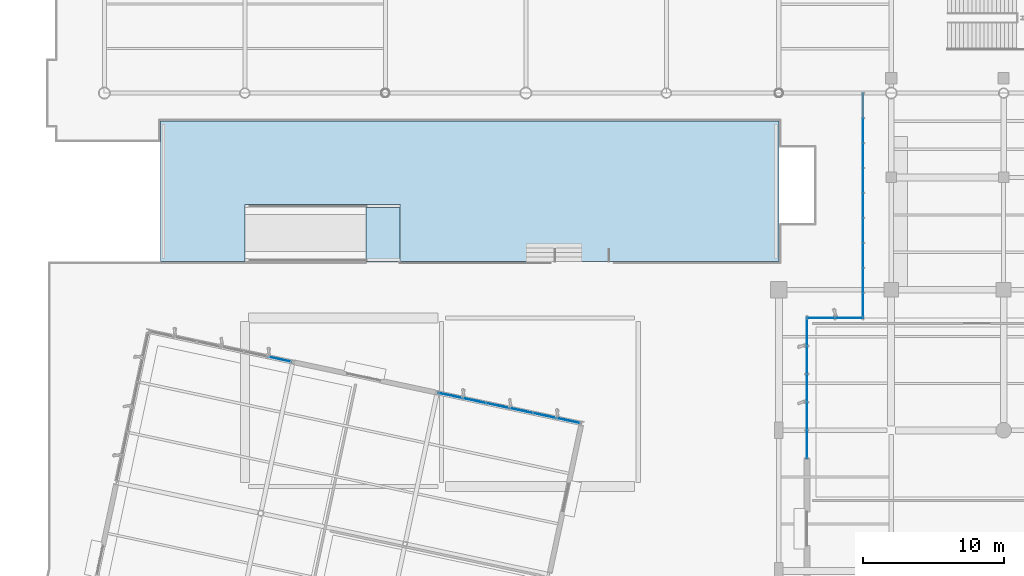
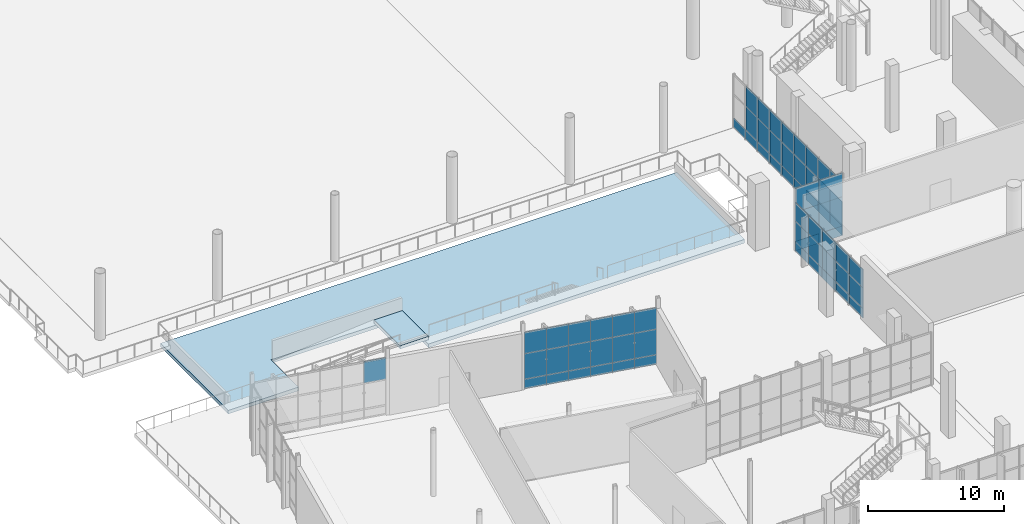
# One storey, part 113 of 163: 65 plates, 2 slabs, 6 elements without a shape of their own.
"""IFC4 building model written with IfcOpenShell, lengths in metres."""

from ifc_helpers import new_model, si_unit, direction, frame, origin, origin_2d, place, context, subcontext, project, spatial, polyline, rectangle, outline, extrude, material, layer, layer_set, type_object, element, aggregate, save


model = new_model("IFC4")

# Units and contexts
model_context = context("Model", 3, precision=1e-05, world=origin(), true_north=direction((0.0, 1.0)))
body_context = subcontext(model_context, "Body", "Model", "MODEL_VIEW")
ifc_project = project(units=[si_unit("LENGTHUNIT", "METRE"), si_unit("AREAUNIT", "SQUARE_METRE"), si_unit("VOLUMEUNIT", "CUBIC_METRE"), si_unit("PLANEANGLEUNIT", "RADIAN"), si_unit("MASSUNIT", "GRAM", prefix="KILO")], contexts=[model_context])

# Site, building, storey
site_placement = place(None, origin())
site = spatial("IfcSite", under=ifc_project, at=site_placement, CompositionType="ELEMENT")
building_placement = place(site_placement, origin())
building = spatial("IfcBuilding", under=site, at=building_placement, Name="Khorjan Park Terminus", CompositionType="ELEMENT")
storey_placement = place(building_placement, origin())
storey = spatial("IfcBuildingStorey", under=building, at=storey_placement, Name="L00", CompositionType="ELEMENT", Elevation=0.0)

# Curtain wall, plates
ifc_material_1 = material(Name="Anodized Bronze Aluminium", Category="aluminium")
ifc_layer_1 = layer(ifc_material_1, 0.22)
ifc_layer_set_1 = layer_set([ifc_layer_1], Name="Anodized Bronze Aluminium")
curtain_wall_type_1 = type_object("IfcCurtainWallType", Name="CW-BRG-D", PredefinedType="NOTDEFINED", material=ifc_layer_set_1)
curtain_wall_1_placement = place(storey_placement, origin())
curtain_wall_1 = element("IfcCurtainWall", 1, at=curtain_wall_1_placement, inside=storey, type_object=curtain_wall_type_1, Name="Unitized curtain wall CW-D (CW-NKW-W-L00)", PredefinedType="NOTDEFINED")
ifc_material_2 = material(Name="Low-E Solar Control Double Glazing", Category="glass")
ifc_layer_2 = layer(ifc_material_2, 0.032)
ifc_layer_set_2 = layer_set([ifc_layer_2], Name="Low-E Solar Control Double Glazing")
plate_type_1 = type_object("IfcPlateType", Name="GL-VIS-32", PredefinedType="CURTAIN_PANEL", material=ifc_layer_set_2)
plate_1_placement = place(storey_placement, frame((54.0, 99.3333, 0.8499), z_axis=(0.0, 0.0, 1.0), x_axis=(0.0, -1.0, 0.0)))
plate_1 = element("IfcPlate", 2, at=plate_1_placement, type_object=plate_type_1, Name="Curtain-wall panel VP-32 (CW-NKW-W-L00-1-2)", PredefinedType="CURTAIN_PANEL", context=body_context, shape_type="SweptSolid", body=[
    extrude(rectangle(XDim=1.7778, YDim=0.032, at=origin_2d()), origin(), (0.0, 0.0, 1.0), 2.1415),
])
plate_2_placement = place(storey_placement, frame((54.0, 99.3333, 2.9914), z_axis=(0.0, 0.0, 1.0), x_axis=(0.0, -1.0, 0.0)))
plate_2 = element("IfcPlate", 3, at=plate_2_placement, type_object=plate_type_1, Name="Curtain-wall panel VP-32 (CW-NKW-W-L00-1-3)", PredefinedType="CURTAIN_PANEL", context=body_context, shape_type="SweptSolid", body=[
    extrude(rectangle(XDim=1.7778, YDim=0.032, at=origin_2d()), origin(), (0.0, 0.0, 1.0), 1.8435),
])
plate_3_placement = place(storey_placement, frame((54.0, 97.5556, 0.8499), z_axis=(0.0, 0.0, 1.0), x_axis=(0.0, -1.0, 0.0)))
plate_3 = element("IfcPlate", 4, at=plate_3_placement, type_object=plate_type_1, Name="Curtain-wall panel VP-32 (CW-NKW-W-L00-2-2)", PredefinedType="CURTAIN_PANEL", context=body_context, shape_type="SweptSolid", body=[
    extrude(rectangle(XDim=1.7778, YDim=0.032, at=origin_2d()), origin(), (0.0, 0.0, 1.0), 2.1415),
])
plate_4_placement = place(storey_placement, frame((54.0, 97.5556, 2.9914), z_axis=(0.0, 0.0, 1.0), x_axis=(0.0, -1.0, 0.0)))
plate_4 = element("IfcPlate", 5, at=plate_4_placement, type_object=plate_type_1, Name="Curtain-wall panel VP-32 (CW-NKW-W-L00-2-3)", PredefinedType="CURTAIN_PANEL", context=body_context, shape_type="SweptSolid", body=[
    extrude(rectangle(XDim=1.7778, YDim=0.032, at=origin_2d()), origin(), (0.0, 0.0, 1.0), 1.8435),
])
plate_5_placement = place(storey_placement, frame((54.0, 95.7778, 0.8499), z_axis=(0.0, 0.0, 1.0), x_axis=(0.0, -1.0, 0.0)))
plate_5 = element("IfcPlate", 6, at=plate_5_placement, type_object=plate_type_1, Name="Curtain-wall panel VP-32 (CW-NKW-W-L00-3-2)", PredefinedType="CURTAIN_PANEL", context=body_context, shape_type="SweptSolid", body=[
    extrude(rectangle(XDim=1.7778, YDim=0.032, at=origin_2d()), origin(), (0.0, 0.0, 1.0), 2.1415),
])
plate_6_placement = place(storey_placement, frame((54.0, 95.7778, 2.9914), z_axis=(0.0, 0.0, 1.0), x_axis=(0.0, -1.0, 0.0)))
plate_6 = element("IfcPlate", 7, at=plate_6_placement, type_object=plate_type_1, Name="Curtain-wall panel VP-32 (CW-NKW-W-L00-3-3)", PredefinedType="CURTAIN_PANEL", context=body_context, shape_type="SweptSolid", body=[
    extrude(rectangle(XDim=1.7778, YDim=0.032, at=origin_2d()), origin(), (0.0, 0.0, 1.0), 1.8435),
])
plate_7_placement = place(storey_placement, frame((54.0, 94.0, 0.8499), z_axis=(0.0, 0.0, 1.0), x_axis=(0.0, -1.0, 0.0)))
plate_7 = element("IfcPlate", 8, at=plate_7_placement, type_object=plate_type_1, Name="Curtain-wall panel VP-32 (CW-NKW-W-L00-4-2)", PredefinedType="CURTAIN_PANEL", context=body_context, shape_type="SweptSolid", body=[
    extrude(rectangle(XDim=1.7778, YDim=0.032, at=origin_2d()), origin(), (0.0, 0.0, 1.0), 2.1415),
])
plate_8_placement = place(storey_placement, frame((54.0, 94.0, 2.9914), z_axis=(0.0, 0.0, 1.0), x_axis=(0.0, -1.0, 0.0)))
plate_8 = element("IfcPlate", 9, at=plate_8_placement, type_object=plate_type_1, Name="Curtain-wall panel VP-32 (CW-NKW-W-L00-4-3)", PredefinedType="CURTAIN_PANEL", context=body_context, shape_type="SweptSolid", body=[
    extrude(rectangle(XDim=1.7778, YDim=0.032, at=origin_2d()), origin(), (0.0, 0.0, 1.0), 1.8435),
])
plate_9_placement = place(storey_placement, frame((54.0, 92.2222, 0.8499), z_axis=(0.0, 0.0, 1.0), x_axis=(0.0, -1.0, 0.0)))
plate_9 = element("IfcPlate", 10, at=plate_9_placement, type_object=plate_type_1, Name="Curtain-wall panel VP-32 (CW-NKW-W-L00-5-2)", PredefinedType="CURTAIN_PANEL", context=body_context, shape_type="SweptSolid", body=[
    extrude(rectangle(XDim=1.7778, YDim=0.032, at=origin_2d()), origin(), (0.0, 0.0, 1.0), 2.1415),
])
plate_10_placement = place(storey_placement, frame((54.0, 92.2222, 2.9914), z_axis=(0.0, 0.0, 1.0), x_axis=(0.0, -1.0, 0.0)))
plate_10 = element("IfcPlate", 11, at=plate_10_placement, type_object=plate_type_1, Name="Curtain-wall panel VP-32 (CW-NKW-W-L00-5-3)", PredefinedType="CURTAIN_PANEL", context=body_context, shape_type="SweptSolid", body=[
    extrude(rectangle(XDim=1.7778, YDim=0.032, at=origin_2d()), origin(), (0.0, 0.0, 1.0), 1.8435),
])
plate_11_placement = place(storey_placement, frame((54.0, 90.4444, 0.8499), z_axis=(0.0, 0.0, 1.0), x_axis=(0.0, -1.0, 0.0)))
plate_11 = element("IfcPlate", 12, at=plate_11_placement, type_object=plate_type_1, Name="Curtain-wall panel VP-32 (CW-NKW-W-L00-6-2)", PredefinedType="CURTAIN_PANEL", context=body_context, shape_type="SweptSolid", body=[
    extrude(rectangle(XDim=1.7778, YDim=0.032, at=origin_2d()), origin(), (0.0, 0.0, 1.0), 2.1415),
])
plate_12_placement = place(storey_placement, frame((54.0, 90.4444, 2.9914), z_axis=(0.0, 0.0, 1.0), x_axis=(0.0, -1.0, 0.0)))
plate_12 = element("IfcPlate", 13, at=plate_12_placement, type_object=plate_type_1, Name="Curtain-wall panel VP-32 (CW-NKW-W-L00-6-3)", PredefinedType="CURTAIN_PANEL", context=body_context, shape_type="SweptSolid", body=[
    extrude(rectangle(XDim=1.7778, YDim=0.032, at=origin_2d()), origin(), (0.0, 0.0, 1.0), 1.8435),
])
plate_13_placement = place(storey_placement, frame((54.0, 88.6667, 0.8499), z_axis=(0.0, 0.0, 1.0), x_axis=(0.0, -1.0, 0.0)))
plate_13 = element("IfcPlate", 14, at=plate_13_placement, type_object=plate_type_1, Name="Curtain-wall panel VP-32 (CW-NKW-W-L00-7-2)", PredefinedType="CURTAIN_PANEL", context=body_context, shape_type="SweptSolid", body=[
    extrude(rectangle(XDim=1.7778, YDim=0.032, at=origin_2d()), origin(), (0.0, 0.0, 1.0), 2.1415),
])
plate_14_placement = place(storey_placement, frame((54.0, 88.6667, 2.9914), z_axis=(0.0, 0.0, 1.0), x_axis=(0.0, -1.0, 0.0)))
plate_14 = element("IfcPlate", 15, at=plate_14_placement, type_object=plate_type_1, Name="Curtain-wall panel VP-32 (CW-NKW-W-L00-7-3)", PredefinedType="CURTAIN_PANEL", context=body_context, shape_type="SweptSolid", body=[
    extrude(rectangle(XDim=1.7778, YDim=0.032, at=origin_2d()), origin(), (0.0, 0.0, 1.0), 1.8435),
])
plate_15_placement = place(storey_placement, frame((54.0, 86.8889, 0.8499), z_axis=(0.0, 0.0, 1.0), x_axis=(0.0, -1.0, 0.0)))
plate_15 = element("IfcPlate", 16, at=plate_15_placement, type_object=plate_type_1, Name="Curtain-wall panel VP-32 (CW-NKW-W-L00-8-2)", PredefinedType="CURTAIN_PANEL", context=body_context, shape_type="SweptSolid", body=[
    extrude(rectangle(XDim=1.7778, YDim=0.032, at=origin_2d()), origin(), (0.0, 0.0, 1.0), 2.1415),
])
plate_16_placement = place(storey_placement, frame((54.0, 86.8889, 2.9914), z_axis=(0.0, 0.0, 1.0), x_axis=(0.0, -1.0, 0.0)))
plate_16 = element("IfcPlate", 17, at=plate_16_placement, type_object=plate_type_1, Name="Curtain-wall panel VP-32 (CW-NKW-W-L00-8-3)", PredefinedType="CURTAIN_PANEL", context=body_context, shape_type="SweptSolid", body=[
    extrude(rectangle(XDim=1.7778, YDim=0.032, at=origin_2d()), origin(), (0.0, 0.0, 1.0), 1.8435),
])

# Curtain wall, plate
ifc_layer_3 = layer(ifc_material_1, 0.22)
ifc_layer_set_3 = layer_set([ifc_layer_3], Name="Anodized Bronze Aluminium")
curtain_wall_type_2 = type_object("IfcCurtainWallType", Name="CW-PAV-C", PredefinedType="NOTDEFINED", material=ifc_layer_set_3)
curtain_wall_2_placement = place(storey_placement, origin())
curtain_wall_2 = element("IfcCurtainWall", 18, at=curtain_wall_2_placement, inside=storey, type_object=curtain_wall_type_2, Name="Unitized curtain wall CW-C (CW-V4-N-L00-B03)", PredefinedType="NOTDEFINED")
plate_17_placement = place(storey_placement, frame((12.4661, 83.0579, 3.1775), z_axis=(0.0, 0.0, 1.0), x_axis=(-0.978147146591, 0.207913827382, 0.0)))
plate_17 = element("IfcPlate", 19, at=plate_17_placement, type_object=plate_type_1, Name="Curtain-wall panel VP-32 (CW-V4-N-L00-B03-0-3)", PredefinedType="CURTAIN_PANEL", context=body_context, shape_type="SweptSolid", body=[
    extrude(rectangle(XDim=1.7084, YDim=0.032, at=origin_2d()), origin(), (0.0, 0.0, 1.0), 1.9575),
])
aggregate(curtain_wall_2, [plate_17])

# Curtain wall, plates
curtain_wall_3_placement = place(storey_placement, origin())
curtain_wall_3 = element("IfcCurtainWall", 20, at=curtain_wall_3_placement, inside=storey, type_object=curtain_wall_type_2, Name="Unitized curtain wall CW-C (CW-V4-N-L00-B01)", PredefinedType="NOTDEFINED")
ifc_material_3 = material(Name="Acoustic Laminated Solar Glazing", Category="glass")
ifc_layer_4 = layer(ifc_material_3, 0.036)
ifc_layer_set_4 = layer_set([ifc_layer_4], Name="Acoustic Laminated Solar Glazing")
plate_type_2 = type_object("IfcPlateType", Name="GL-VIS-36", PredefinedType="CURTAIN_PANEL", material=ifc_layer_set_4)
plate_18_placement = place(storey_placement, frame((32.9973, 78.6939, 0.85), z_axis=(0.0, 0.0, 1.0), x_axis=(-0.978149552254, 0.207902509423, 0.0)))
plate_18 = element("IfcPlate", 21, at=plate_18_placement, type_object=plate_type_2, Name="Curtain-wall panel VP-36 (CW-V4-N-L00-B01-0-2)", PredefinedType="CURTAIN_PANEL", context=body_context, shape_type="SweptSolid", body=[
    extrude(rectangle(XDim=1.7084, YDim=0.036, at=origin_2d()), origin(), (0.0, 0.0, 1.0), 2.2965),
])
plate_19_placement = place(storey_placement, frame((32.9973, 78.6939, 3.1466), z_axis=(0.0, 0.0, 1.0), x_axis=(-0.978149552254, 0.207902509423, 0.0)))
plate_19 = element("IfcPlate", 22, at=plate_19_placement, type_object=plate_type_2, Name="Curtain-wall panel VP-36 (CW-V4-N-L00-B01-0-3)", PredefinedType="CURTAIN_PANEL", context=body_context, shape_type="SweptSolid", body=[
    extrude(rectangle(XDim=1.7084, YDim=0.036, at=origin_2d()), origin(), (0.0, 0.0, 1.0), 1.9385),
])
plate_20_placement = place(storey_placement, frame((31.3263, 79.0491, 0.85), z_axis=(0.0, 0.0, 1.0), x_axis=(-0.978149552254, 0.207902509423, 0.0)))
plate_20 = element("IfcPlate", 23, at=plate_20_placement, type_object=plate_type_2, Name="Curtain-wall panel VP-36 (CW-V4-N-L00-B01-1-2)", PredefinedType="CURTAIN_PANEL", context=body_context, shape_type="SweptSolid", body=[
    extrude(rectangle(XDim=1.7084, YDim=0.036, at=origin_2d()), origin(), (0.0, 0.0, 1.0), 2.2965),
])
plate_21_placement = place(storey_placement, frame((31.3263, 79.0491, 3.1466), z_axis=(0.0, 0.0, 1.0), x_axis=(-0.978149552254, 0.207902509423, 0.0)))
plate_21 = element("IfcPlate", 24, at=plate_21_placement, type_object=plate_type_2, Name="Curtain-wall panel VP-36 (CW-V4-N-L00-B01-1-3)", PredefinedType="CURTAIN_PANEL", context=body_context, shape_type="SweptSolid", body=[
    extrude(rectangle(XDim=1.7084, YDim=0.036, at=origin_2d()), origin(), (0.0, 0.0, 1.0), 1.9385),
])
plate_22_placement = place(storey_placement, frame((29.6552, 79.4043, 0.85), z_axis=(0.0, 0.0, 1.0), x_axis=(-0.978149552254, 0.207902509423, 0.0)))
plate_22 = element("IfcPlate", 25, at=plate_22_placement, type_object=plate_type_2, Name="Curtain-wall panel VP-36 (CW-V4-N-L00-B01-2-2)", PredefinedType="CURTAIN_PANEL", context=body_context, shape_type="SweptSolid", body=[
    extrude(rectangle(XDim=1.7084, YDim=0.036, at=origin_2d()), origin(), (0.0, 0.0, 1.0), 2.2965),
])
plate_23_placement = place(storey_placement, frame((29.6552, 79.4043, 3.1466), z_axis=(0.0, 0.0, 1.0), x_axis=(-0.978149552254, 0.207902509423, 0.0)))
plate_23 = element("IfcPlate", 26, at=plate_23_placement, type_object=plate_type_2, Name="Curtain-wall panel VP-36 (CW-V4-N-L00-B01-2-3)", PredefinedType="CURTAIN_PANEL", context=body_context, shape_type="SweptSolid", body=[
    extrude(rectangle(XDim=1.7084, YDim=0.036, at=origin_2d()), origin(), (0.0, 0.0, 1.0), 1.9385),
])
plate_24_placement = place(storey_placement, frame((27.9841, 79.7595, 0.85), z_axis=(0.0, 0.0, 1.0), x_axis=(-0.978149552254, 0.207902509423, 0.0)))
plate_24 = element("IfcPlate", 27, at=plate_24_placement, type_object=plate_type_2, Name="Curtain-wall panel VP-36 (CW-V4-N-L00-B01-3-2)", PredefinedType="CURTAIN_PANEL", context=body_context, shape_type="SweptSolid", body=[
    extrude(rectangle(XDim=1.7084, YDim=0.036, at=origin_2d()), origin(), (0.0, 0.0, 1.0), 2.2965),
])
plate_25_placement = place(storey_placement, frame((27.9841, 79.7595, 3.1466), z_axis=(0.0, 0.0, 1.0), x_axis=(-0.978149552254, 0.207902509423, 0.0)))
plate_25 = element("IfcPlate", 28, at=plate_25_placement, type_object=plate_type_2, Name="Curtain-wall panel VP-36 (CW-V4-N-L00-B01-3-3)", PredefinedType="CURTAIN_PANEL", context=body_context, shape_type="SweptSolid", body=[
    extrude(rectangle(XDim=1.7084, YDim=0.036, at=origin_2d()), origin(), (0.0, 0.0, 1.0), 1.9385),
])
plate_26_placement = place(storey_placement, frame((26.313, 80.1146, 0.85), z_axis=(0.0, 0.0, 1.0), x_axis=(-0.978149552254, 0.207902509423, 0.0)))
plate_26 = element("IfcPlate", 29, at=plate_26_placement, type_object=plate_type_2, Name="Curtain-wall panel VP-36 (CW-V4-N-L00-B01-4-2)", PredefinedType="CURTAIN_PANEL", context=body_context, shape_type="SweptSolid", body=[
    extrude(rectangle(XDim=1.7084, YDim=0.036, at=origin_2d()), origin(), (0.0, 0.0, 1.0), 2.2965),
])
plate_27_placement = place(storey_placement, frame((26.313, 80.1146, 3.1466), z_axis=(0.0, 0.0, 1.0), x_axis=(-0.978149552254, 0.207902509423, 0.0)))
plate_27 = element("IfcPlate", 30, at=plate_27_placement, type_object=plate_type_2, Name="Curtain-wall panel VP-36 (CW-V4-N-L00-B01-4-3)", PredefinedType="CURTAIN_PANEL", context=body_context, shape_type="SweptSolid", body=[
    extrude(rectangle(XDim=1.7084, YDim=0.036, at=origin_2d()), origin(), (0.0, 0.0, 1.0), 1.9385),
])
plate_28_placement = place(storey_placement, frame((24.642, 80.4698, 0.85), z_axis=(0.0, 0.0, 1.0), x_axis=(-0.978149552254, 0.207902509423, 0.0)))
plate_28 = element("IfcPlate", 31, at=plate_28_placement, type_object=plate_type_2, Name="Curtain-wall panel VP-36 (CW-V4-N-L00-B01-5-2)", PredefinedType="CURTAIN_PANEL", context=body_context, shape_type="SweptSolid", body=[
    extrude(rectangle(XDim=1.7084, YDim=0.036, at=origin_2d()), origin(), (0.0, 0.0, 1.0), 2.2965),
])
plate_29_placement = place(storey_placement, frame((24.642, 80.4698, 3.1466), z_axis=(0.0, 0.0, 1.0), x_axis=(-0.978149552254, 0.207902509423, 0.0)))
plate_29 = element("IfcPlate", 32, at=plate_29_placement, type_object=plate_type_2, Name="Curtain-wall panel VP-36 (CW-V4-N-L00-B01-5-3)", PredefinedType="CURTAIN_PANEL", context=body_context, shape_type="SweptSolid", body=[
    extrude(rectangle(XDim=1.7084, YDim=0.036, at=origin_2d()), origin(), (0.0, 0.0, 1.0), 1.9385),
])

ifc_layer_5 = layer(ifc_material_1, 0.22)
ifc_layer_set_5 = layer_set([ifc_layer_5], Name="Anodized Bronze Aluminium")
curtain_wall_type_3 = type_object("IfcCurtainWallType", Name="CW-CONC-A", PredefinedType="NOTDEFINED", material=ifc_layer_set_5)
curtain_wall_4_placement = place(storey_placement, origin())
curtain_wall_4 = element("IfcCurtainWall", 33, at=curtain_wall_4_placement, inside=storey, type_object=curtain_wall_type_3, Name="Unitized curtain wall CW-A (CW-V2-N-L00-01)", PredefinedType="NOTDEFINED")
ifc_material_4 = material(Name="Triple Low-E High-Selectivity Glazing", Category="glass")
ifc_layer_6 = layer(ifc_material_4, 0.04)
ifc_layer_set_6 = layer_set([ifc_layer_6], Name="Triple Low-E High-Selectivity Glazing")
plate_type_3 = type_object("IfcPlateType", Name="GL-VIS-40", PredefinedType="CURTAIN_PANEL", material=ifc_layer_set_6)
plate_30_placement = place(storey_placement, frame((53.0, 86.0, 0.85), z_axis=(0.0, 0.0, 1.0), x_axis=(-1.0, 0.0, 0.0)))
plate_30 = element("IfcPlate", 34, at=plate_30_placement, type_object=plate_type_3, Name="Curtain-wall panel VP-40 (CW-V2-N-L00-01-0-2)", PredefinedType="CURTAIN_PANEL", context=body_context, shape_type="SweptSolid", body=[
    extrude(rectangle(XDim=2.0, YDim=0.04, at=origin_2d()), origin(), (0.0, 0.0, 1.0), 2.6344),
])
plate_31_placement = place(storey_placement, frame((53.0, 86.0, 3.4844), z_axis=(0.0, 0.0, 1.0), x_axis=(-1.0, 0.0, 0.0)))
plate_31 = element("IfcPlate", 35, at=plate_31_placement, type_object=plate_type_3, Name="Curtain-wall panel VP-40 (CW-V2-N-L00-01-0-3)", PredefinedType="CURTAIN_PANEL", context=body_context, shape_type="SweptSolid", body=[
    extrude(rectangle(XDim=2.0, YDim=0.04, at=origin_2d()), origin(), (0.0, 0.0, 1.0), 2.1456),
])
plate_32_placement = place(storey_placement, frame((51.0, 86.0, 0.85), z_axis=(0.0, 0.0, 1.0), x_axis=(-1.0, 0.0, 0.0)))
plate_32 = element("IfcPlate", 36, at=plate_32_placement, type_object=plate_type_3, Name="Curtain-wall panel VP-40 (CW-V2-N-L00-01-1-2)", PredefinedType="CURTAIN_PANEL", context=body_context, shape_type="SweptSolid", body=[
    extrude(rectangle(XDim=2.0, YDim=0.04, at=origin_2d()), origin(), (0.0, 0.0, 1.0), 2.6344),
])
plate_33_placement = place(storey_placement, frame((51.0, 86.0, 3.4844), z_axis=(0.0, 0.0, 1.0), x_axis=(-1.0, 0.0, 0.0)))
plate_33 = element("IfcPlate", 37, at=plate_33_placement, type_object=plate_type_3, Name="Curtain-wall panel VP-40 (CW-V2-N-L00-01-1-3)", PredefinedType="CURTAIN_PANEL", context=body_context, shape_type="SweptSolid", body=[
    extrude(rectangle(XDim=2.0, YDim=0.04, at=origin_2d()), origin(), (0.0, 0.0, 1.0), 2.1456),
])

curtain_wall_5_placement = place(storey_placement, origin())
curtain_wall_5 = element("IfcCurtainWall", 38, at=curtain_wall_5_placement, inside=storey, type_object=curtain_wall_type_3, Name="Unitized curtain wall CW-A (CW-V2-W-L00-05)", PredefinedType="NOTDEFINED")
plate_34_placement = place(storey_placement, frame((50.0, 85.0, 0.85), z_axis=(0.0, 0.0, 1.0), x_axis=(0.0, -1.0, 0.0)))
plate_34 = element("IfcPlate", 39, at=plate_34_placement, type_object=plate_type_3, Name="Curtain-wall panel VP-40 (CW-V2-W-L00-05-0-2)", PredefinedType="CURTAIN_PANEL", context=body_context, shape_type="SweptSolid", body=[
    extrude(rectangle(XDim=2.0, YDim=0.04, at=origin_2d()), origin(), (0.0, 0.0, 1.0), 1.8563),
])
plate_35_placement = place(storey_placement, frame((50.0, 85.0, 2.7064), z_axis=(0.0, 0.0, 1.0), x_axis=(0.0, -1.0, 0.0)))
plate_35 = element("IfcPlate", 40, at=plate_35_placement, type_object=plate_type_3, Name="Curtain-wall panel VP-40 (CW-V2-W-L00-05-0-3)", PredefinedType="CURTAIN_PANEL", context=body_context, shape_type="SweptSolid", body=[
    extrude(rectangle(XDim=2.0, YDim=0.04, at=origin_2d()), origin(), (0.0, 0.0, 1.0), 1.6687),
])
plate_36_placement = place(storey_placement, frame((50.0, 83.0, 0.85), z_axis=(0.0, 0.0, 1.0), x_axis=(0.0, -1.0, 0.0)))
plate_36 = element("IfcPlate", 41, at=plate_36_placement, type_object=plate_type_3, Name="Curtain-wall panel VP-40 (CW-V2-W-L00-05-1-2)", PredefinedType="CURTAIN_PANEL", context=body_context, shape_type="SweptSolid", body=[
    extrude(rectangle(XDim=2.0, YDim=0.04, at=origin_2d()), origin(), (0.0, 0.0, 1.0), 1.8563),
])
plate_37_placement = place(storey_placement, frame((50.0, 83.0, 2.7064), z_axis=(0.0, 0.0, 1.0), x_axis=(0.0, -1.0, 0.0)))
plate_37 = element("IfcPlate", 42, at=plate_37_placement, type_object=plate_type_3, Name="Curtain-wall panel VP-40 (CW-V2-W-L00-05-1-3)", PredefinedType="CURTAIN_PANEL", context=body_context, shape_type="SweptSolid", body=[
    extrude(rectangle(XDim=2.0, YDim=0.04, at=origin_2d()), origin(), (0.0, 0.0, 1.0), 1.6687),
])
plate_38_placement = place(storey_placement, frame((50.0, 81.0, 0.85), z_axis=(0.0, 0.0, 1.0), x_axis=(0.0, -1.0, 0.0)))
plate_38 = element("IfcPlate", 43, at=plate_38_placement, type_object=plate_type_3, Name="Curtain-wall panel VP-40 (CW-V2-W-L00-05-2-2)", PredefinedType="CURTAIN_PANEL", context=body_context, shape_type="SweptSolid", body=[
    extrude(rectangle(XDim=2.0, YDim=0.04, at=origin_2d()), origin(), (0.0, 0.0, 1.0), 1.8563),
])
plate_39_placement = place(storey_placement, frame((50.0, 81.0, 2.7064), z_axis=(0.0, 0.0, 1.0), x_axis=(0.0, -1.0, 0.0)))
plate_39 = element("IfcPlate", 44, at=plate_39_placement, type_object=plate_type_3, Name="Curtain-wall panel VP-40 (CW-V2-W-L00-05-2-3)", PredefinedType="CURTAIN_PANEL", context=body_context, shape_type="SweptSolid", body=[
    extrude(rectangle(XDim=2.0, YDim=0.04, at=origin_2d()), origin(), (0.0, 0.0, 1.0), 1.6687),
])
plate_40_placement = place(storey_placement, frame((50.0, 79.0, 0.85), z_axis=(0.0, 0.0, 1.0), x_axis=(0.0, -1.0, 0.0)))
plate_40 = element("IfcPlate", 45, at=plate_40_placement, type_object=plate_type_3, Name="Curtain-wall panel VP-40 (CW-V2-W-L00-05-3-2)", PredefinedType="CURTAIN_PANEL", context=body_context, shape_type="SweptSolid", body=[
    extrude(rectangle(XDim=2.0, YDim=0.04, at=origin_2d()), origin(), (0.0, 0.0, 1.0), 1.8563),
])
plate_41_placement = place(storey_placement, frame((50.0, 79.0, 2.7064), z_axis=(0.0, 0.0, 1.0), x_axis=(0.0, -1.0, 0.0)))
plate_41 = element("IfcPlate", 46, at=plate_41_placement, type_object=plate_type_3, Name="Curtain-wall panel VP-40 (CW-V2-W-L00-05-3-3)", PredefinedType="CURTAIN_PANEL", context=body_context, shape_type="SweptSolid", body=[
    extrude(rectangle(XDim=2.0, YDim=0.04, at=origin_2d()), origin(), (0.0, 0.0, 1.0), 1.6687),
])
plate_42_placement = place(storey_placement, frame((50.0, 77.0, 0.85), z_axis=(0.0, 0.0, 1.0), x_axis=(0.0, -1.0, 0.0)))
plate_42 = element("IfcPlate", 47, at=plate_42_placement, type_object=plate_type_3, Name="Curtain-wall panel VP-40 (CW-V2-W-L00-05-4-2)", PredefinedType="CURTAIN_PANEL", context=body_context, shape_type="SweptSolid", body=[
    extrude(rectangle(XDim=2.0, YDim=0.04, at=origin_2d()), origin(), (0.0, 0.0, 1.0), 1.8563),
])
plate_43_placement = place(storey_placement, frame((50.0, 77.0, 2.7064), z_axis=(0.0, 0.0, 1.0), x_axis=(0.0, -1.0, 0.0)))
plate_43 = element("IfcPlate", 48, at=plate_43_placement, type_object=plate_type_3, Name="Curtain-wall panel VP-40 (CW-V2-W-L00-05-4-3)", PredefinedType="CURTAIN_PANEL", context=body_context, shape_type="SweptSolid", body=[
    extrude(rectangle(XDim=2.0, YDim=0.04, at=origin_2d()), origin(), (0.0, 0.0, 1.0), 1.6687),
])

# Ramp, slab
ifc_material_5 = material(Name="Concrete C40/50", Category="concrete")
ramp_type = type_object("IfcRampType", Name="RMP-ACC-360", PredefinedType="STRAIGHT_RUN_RAMP", material=ifc_material_5)
ramp_placement = place(storey_placement, origin())
ramp = element("IfcRamp", 49, at=ramp_placement, inside=storey, type_object=ramp_type, Name="Accessible 1:12 site-grade approach ramp AR-04", PredefinedType="STRAIGHT_RUN_RAMP")
ifc_layer_7 = layer(ifc_material_5, 0.29)
ifc_layer_set_7 = layer_set([ifc_layer_7], Name="Concrete C40/50")
slab_type_1 = type_object("IfcSlabType", Name="SL-LND-290", PredefinedType="LANDING", material=ifc_layer_set_7)
slab_1_placement = place(storey_placement, frame((0.0, 0.0, -0.29)))
slab_1 = element("IfcSlab", 50, at=slab_1_placement, type_object=slab_type_1, Name="Accessible ramp top arrival landing (GRMP-N-PK)", PredefinedType="LANDING", context=body_context, shape_type="SweptSolid", body=[
    extrude(outline(polyline([(18.625, 89.98), (21.04, 89.98), (21.04, 93.84), (18.625, 93.84), (18.625, 89.98)])), origin(), (0.0, 0.0, 1.0), 0.29),
])
aggregate(ramp, [slab_1])

# Slab
ifc_layer_8 = layer(ifc_material_5, 0.32)
ifc_layer_set_8 = layer_set([ifc_layer_8], Name="Concrete C40/50")
slab_type_2 = type_object("IfcSlabType", Name="SL-TER-320", PredefinedType="ROOF", material=ifc_layer_set_8)
slab_2_placement = place(storey_placement, frame((0.0, 0.0, -1.04)))
element("IfcSlab", 51, at=slab_2_placement, inside=storey, type_object=slab_type_2, Name="External terrace slab TS-32 (GRD-APR-NORTH)", PredefinedType="ROOF", context=body_context, shape_type="SweptSolid", body=[
    extrude(outline(polyline([(4.0, 90.02), (4.0, 100.0), (48.0, 100.0), (48.0, 90.02), (21.06, 90.02), (21.06, 94.08), (10.0, 94.08), (10.0, 90.02), (4.0, 90.02)])), origin(), (0.0, 0.0, 1.0), 0.32),
])

# Plate
ifc_material_6 = material(Name="Insulated Anodized Bronze Spandrel Panel")
ifc_layer_9 = layer(ifc_material_6, 0.045)
ifc_layer_set_9 = layer_set([ifc_layer_9], Name="Insulated Anodized Bronze Spandrel Panel")
plate_type_4 = type_object("IfcPlateType", Name="SP-AL-45", PredefinedType="CURTAIN_PANEL", material=ifc_layer_set_9)
plate_44_placement = place(storey_placement, frame((53.0, 86.0, -0.01), z_axis=(0.0, 0.0, 1.0), x_axis=(-1.0, 0.0, 0.0)))
plate_44 = element("IfcPlate", 52, at=plate_44_placement, type_object=plate_type_4, Name="Curtain-wall panel SP-A45 (CW-V2-N-L00-01-0-1)", PredefinedType="CURTAIN_PANEL", context=body_context, shape_type="SweptSolid", body=[
    extrude(rectangle(XDim=2.0, YDim=0.045, at=origin_2d()), origin(), (0.0, 0.0, 1.0), 0.86),
])

plate_45_placement = place(storey_placement, frame((51.0, 86.0, -0.01), z_axis=(0.0, 0.0, 1.0), x_axis=(-1.0, 0.0, 0.0)))
plate_45 = element("IfcPlate", 53, at=plate_45_placement, type_object=plate_type_4, Name="Curtain-wall panel SP-A45 (CW-V2-N-L00-01-1-1)", PredefinedType="CURTAIN_PANEL", context=body_context, shape_type="SweptSolid", body=[
    extrude(rectangle(XDim=2.0, YDim=0.045, at=origin_2d()), origin(), (0.0, 0.0, 1.0), 0.86),
])

aggregate(curtain_wall_4, [plate_44, plate_30, plate_31, plate_45, plate_32, plate_33])

plate_46_placement = place(storey_placement, frame((50.0, 85.0, -0.01), z_axis=(0.0, 0.0, 1.0), x_axis=(0.0, -1.0, 0.0)))
plate_46 = element("IfcPlate", 54, at=plate_46_placement, type_object=plate_type_4, Name="Curtain-wall panel SP-A45 (CW-V2-W-L00-05-0-1)", PredefinedType="CURTAIN_PANEL", context=body_context, shape_type="SweptSolid", body=[
    extrude(rectangle(XDim=2.0, YDim=0.045, at=origin_2d()), origin(), (0.0, 0.0, 1.0), 0.86),
])

plate_47_placement = place(storey_placement, frame((50.0, 83.0, -0.01), z_axis=(0.0, 0.0, 1.0), x_axis=(0.0, -1.0, 0.0)))
plate_47 = element("IfcPlate", 55, at=plate_47_placement, type_object=plate_type_4, Name="Curtain-wall panel SP-A45 (CW-V2-W-L00-05-1-1)", PredefinedType="CURTAIN_PANEL", context=body_context, shape_type="SweptSolid", body=[
    extrude(rectangle(XDim=2.0, YDim=0.045, at=origin_2d()), origin(), (0.0, 0.0, 1.0), 0.86),
])

plate_48_placement = place(storey_placement, frame((50.0, 81.0, -0.01), z_axis=(0.0, 0.0, 1.0), x_axis=(0.0, -1.0, 0.0)))
plate_48 = element("IfcPlate", 56, at=plate_48_placement, type_object=plate_type_4, Name="Curtain-wall panel SP-A45 (CW-V2-W-L00-05-2-1)", PredefinedType="CURTAIN_PANEL", context=body_context, shape_type="SweptSolid", body=[
    extrude(rectangle(XDim=2.0, YDim=0.045, at=origin_2d()), origin(), (0.0, 0.0, 1.0), 0.86),
])

plate_49_placement = place(storey_placement, frame((50.0, 79.0, -0.01), z_axis=(0.0, 0.0, 1.0), x_axis=(0.0, -1.0, 0.0)))
plate_49 = element("IfcPlate", 57, at=plate_49_placement, type_object=plate_type_4, Name="Curtain-wall panel SP-A45 (CW-V2-W-L00-05-3-1)", PredefinedType="CURTAIN_PANEL", context=body_context, shape_type="SweptSolid", body=[
    extrude(rectangle(XDim=2.0, YDim=0.045, at=origin_2d()), origin(), (0.0, 0.0, 1.0), 0.86),
])

plate_50_placement = place(storey_placement, frame((50.0, 77.0, -0.01), z_axis=(0.0, 0.0, 1.0), x_axis=(0.0, -1.0, 0.0)))
plate_50 = element("IfcPlate", 58, at=plate_50_placement, type_object=plate_type_4, Name="Curtain-wall panel SP-A45 (CW-V2-W-L00-05-4-1)", PredefinedType="CURTAIN_PANEL", context=body_context, shape_type="SweptSolid", body=[
    extrude(rectangle(XDim=2.0, YDim=0.045, at=origin_2d()), origin(), (0.0, 0.0, 1.0), 0.86),
])

aggregate(curtain_wall_5, [plate_46, plate_34, plate_35, plate_47, plate_36, plate_37, plate_48, plate_38, plate_39, plate_49, plate_40, plate_41, plate_50, plate_42, plate_43])

plate_51_placement = place(storey_placement, frame((54.0, 101.1111, -0.01), z_axis=(0.0, 0.0, 1.0), x_axis=(0.0, -1.0, 0.0)))
plate_51 = element("IfcPlate", 59, at=plate_51_placement, type_object=plate_type_4, Name="Curtain-wall panel SP-A45 (CW-NKW-W-L00-0-1)", PredefinedType="CURTAIN_PANEL", context=body_context, shape_type="SweptSolid", body=[
    extrude(rectangle(XDim=1.7778, YDim=0.045, at=origin_2d()), origin(), (0.0, 0.0, 1.0), 0.86),
])

plate_52_placement = place(storey_placement, frame((54.0, 99.3333, -0.01), z_axis=(0.0, 0.0, 1.0), x_axis=(0.0, -1.0, 0.0)))
plate_52 = element("IfcPlate", 60, at=plate_52_placement, type_object=plate_type_4, Name="Curtain-wall panel SP-A45 (CW-NKW-W-L00-1-1)", PredefinedType="CURTAIN_PANEL", context=body_context, shape_type="SweptSolid", body=[
    extrude(rectangle(XDim=1.7778, YDim=0.045, at=origin_2d()), origin(), (0.0, 0.0, 1.0), 0.86),
])

plate_53_placement = place(storey_placement, frame((54.0, 97.5556, -0.01), z_axis=(0.0, 0.0, 1.0), x_axis=(0.0, -1.0, 0.0)))
plate_53 = element("IfcPlate", 61, at=plate_53_placement, type_object=plate_type_4, Name="Curtain-wall panel SP-A45 (CW-NKW-W-L00-2-1)", PredefinedType="CURTAIN_PANEL", context=body_context, shape_type="SweptSolid", body=[
    extrude(rectangle(XDim=1.7778, YDim=0.045, at=origin_2d()), origin(), (0.0, 0.0, 1.0), 0.86),
])

plate_54_placement = place(storey_placement, frame((54.0, 95.7778, -0.01), z_axis=(0.0, 0.0, 1.0), x_axis=(0.0, -1.0, 0.0)))
plate_54 = element("IfcPlate", 62, at=plate_54_placement, type_object=plate_type_4, Name="Curtain-wall panel SP-A45 (CW-NKW-W-L00-3-1)", PredefinedType="CURTAIN_PANEL", context=body_context, shape_type="SweptSolid", body=[
    extrude(rectangle(XDim=1.7778, YDim=0.045, at=origin_2d()), origin(), (0.0, 0.0, 1.0), 0.86),
])

plate_55_placement = place(storey_placement, frame((54.0, 94.0, -0.01), z_axis=(0.0, 0.0, 1.0), x_axis=(0.0, -1.0, 0.0)))
plate_55 = element("IfcPlate", 63, at=plate_55_placement, type_object=plate_type_4, Name="Curtain-wall panel SP-A45 (CW-NKW-W-L00-4-1)", PredefinedType="CURTAIN_PANEL", context=body_context, shape_type="SweptSolid", body=[
    extrude(rectangle(XDim=1.7778, YDim=0.045, at=origin_2d()), origin(), (0.0, 0.0, 1.0), 0.86),
])

plate_56_placement = place(storey_placement, frame((54.0, 92.2222, -0.01), z_axis=(0.0, 0.0, 1.0), x_axis=(0.0, -1.0, 0.0)))
plate_56 = element("IfcPlate", 64, at=plate_56_placement, type_object=plate_type_4, Name="Curtain-wall panel SP-A45 (CW-NKW-W-L00-5-1)", PredefinedType="CURTAIN_PANEL", context=body_context, shape_type="SweptSolid", body=[
    extrude(rectangle(XDim=1.7778, YDim=0.045, at=origin_2d()), origin(), (0.0, 0.0, 1.0), 0.86),
])

plate_57_placement = place(storey_placement, frame((54.0, 90.4444, -0.01), z_axis=(0.0, 0.0, 1.0), x_axis=(0.0, -1.0, 0.0)))
plate_57 = element("IfcPlate", 65, at=plate_57_placement, type_object=plate_type_4, Name="Curtain-wall panel SP-A45 (CW-NKW-W-L00-6-1)", PredefinedType="CURTAIN_PANEL", context=body_context, shape_type="SweptSolid", body=[
    extrude(rectangle(XDim=1.7778, YDim=0.045, at=origin_2d()), origin(), (0.0, 0.0, 1.0), 0.86),
])

plate_58_placement = place(storey_placement, frame((54.0, 88.6667, -0.01), z_axis=(0.0, 0.0, 1.0), x_axis=(0.0, -1.0, 0.0)))
plate_58 = element("IfcPlate", 66, at=plate_58_placement, type_object=plate_type_4, Name="Curtain-wall panel SP-A45 (CW-NKW-W-L00-7-1)", PredefinedType="CURTAIN_PANEL", context=body_context, shape_type="SweptSolid", body=[
    extrude(rectangle(XDim=1.7778, YDim=0.045, at=origin_2d()), origin(), (0.0, 0.0, 1.0), 0.86),
])

plate_59_placement = place(storey_placement, frame((54.0, 86.8889, -0.01), z_axis=(0.0, 0.0, 1.0), x_axis=(0.0, -1.0, 0.0)))
plate_59 = element("IfcPlate", 67, at=plate_59_placement, type_object=plate_type_4, Name="Curtain-wall panel SP-A45 (CW-NKW-W-L00-8-1)", PredefinedType="CURTAIN_PANEL", context=body_context, shape_type="SweptSolid", body=[
    extrude(rectangle(XDim=1.7778, YDim=0.045, at=origin_2d()), origin(), (0.0, 0.0, 1.0), 0.86),
])

aggregate(curtain_wall_1, [plate_51, plate_52, plate_1, plate_2, plate_53, plate_3, plate_4, plate_54, plate_5, plate_6, plate_55, plate_7, plate_8, plate_56, plate_9, plate_10, plate_57, plate_11, plate_12, plate_58, plate_13, plate_14, plate_59, plate_15, plate_16])

plate_60_placement = place(storey_placement, frame((32.9973, 78.6939, -0.01), z_axis=(0.0, 0.0, 1.0), x_axis=(-0.978149552254, 0.207902509423, 0.0)))
plate_60 = element("IfcPlate", 68, at=plate_60_placement, type_object=plate_type_4, Name="Curtain-wall panel SP-A45 (CW-V4-N-L00-B01-0-1)", PredefinedType="CURTAIN_PANEL", context=body_context, shape_type="SweptSolid", body=[
    extrude(rectangle(XDim=1.7084, YDim=0.045, at=origin_2d()), origin(), (0.0, 0.0, 1.0), 0.86),
])

plate_61_placement = place(storey_placement, frame((31.3263, 79.0491, -0.01), z_axis=(0.0, 0.0, 1.0), x_axis=(-0.978149552254, 0.207902509423, 0.0)))
plate_61 = element("IfcPlate", 69, at=plate_61_placement, type_object=plate_type_4, Name="Curtain-wall panel SP-A45 (CW-V4-N-L00-B01-1-1)", PredefinedType="CURTAIN_PANEL", context=body_context, shape_type="SweptSolid", body=[
    extrude(rectangle(XDim=1.7084, YDim=0.045, at=origin_2d()), origin(), (0.0, 0.0, 1.0), 0.86),
])

plate_62_placement = place(storey_placement, frame((29.6552, 79.4043, -0.01), z_axis=(0.0, 0.0, 1.0), x_axis=(-0.978149552254, 0.207902509423, 0.0)))
plate_62 = element("IfcPlate", 70, at=plate_62_placement, type_object=plate_type_4, Name="Curtain-wall panel SP-A45 (CW-V4-N-L00-B01-2-1)", PredefinedType="CURTAIN_PANEL", context=body_context, shape_type="SweptSolid", body=[
    extrude(rectangle(XDim=1.7084, YDim=0.045, at=origin_2d()), origin(), (0.0, 0.0, 1.0), 0.86),
])

plate_63_placement = place(storey_placement, frame((27.9841, 79.7595, -0.01), z_axis=(0.0, 0.0, 1.0), x_axis=(-0.978149552254, 0.207902509423, 0.0)))
plate_63 = element("IfcPlate", 71, at=plate_63_placement, type_object=plate_type_4, Name="Curtain-wall panel SP-A45 (CW-V4-N-L00-B01-3-1)", PredefinedType="CURTAIN_PANEL", context=body_context, shape_type="SweptSolid", body=[
    extrude(rectangle(XDim=1.7084, YDim=0.045, at=origin_2d()), origin(), (0.0, 0.0, 1.0), 0.86),
])

plate_64_placement = place(storey_placement, frame((26.313, 80.1146, -0.01), z_axis=(0.0, 0.0, 1.0), x_axis=(-0.978149552254, 0.207902509423, 0.0)))
plate_64 = element("IfcPlate", 72, at=plate_64_placement, type_object=plate_type_4, Name="Curtain-wall panel SP-A45 (CW-V4-N-L00-B01-4-1)", PredefinedType="CURTAIN_PANEL", context=body_context, shape_type="SweptSolid", body=[
    extrude(rectangle(XDim=1.7084, YDim=0.045, at=origin_2d()), origin(), (0.0, 0.0, 1.0), 0.86),
])

plate_65_placement = place(storey_placement, frame((24.642, 80.4698, -0.01), z_axis=(0.0, 0.0, 1.0), x_axis=(-0.978149552254, 0.207902509423, 0.0)))
plate_65 = element("IfcPlate", 73, at=plate_65_placement, type_object=plate_type_4, Name="Curtain-wall panel SP-A45 (CW-V4-N-L00-B01-5-1)", PredefinedType="CURTAIN_PANEL", context=body_context, shape_type="SweptSolid", body=[
    extrude(rectangle(XDim=1.7084, YDim=0.045, at=origin_2d()), origin(), (0.0, 0.0, 1.0), 0.86),
])

aggregate(curtain_wall_3, [plate_60, plate_18, plate_19, plate_61, plate_20, plate_21, plate_62, plate_22, plate_23, plate_63, plate_24, plate_25, plate_64, plate_26, plate_27, plate_65, plate_28, plate_29])

save(model, "model.ifc")
